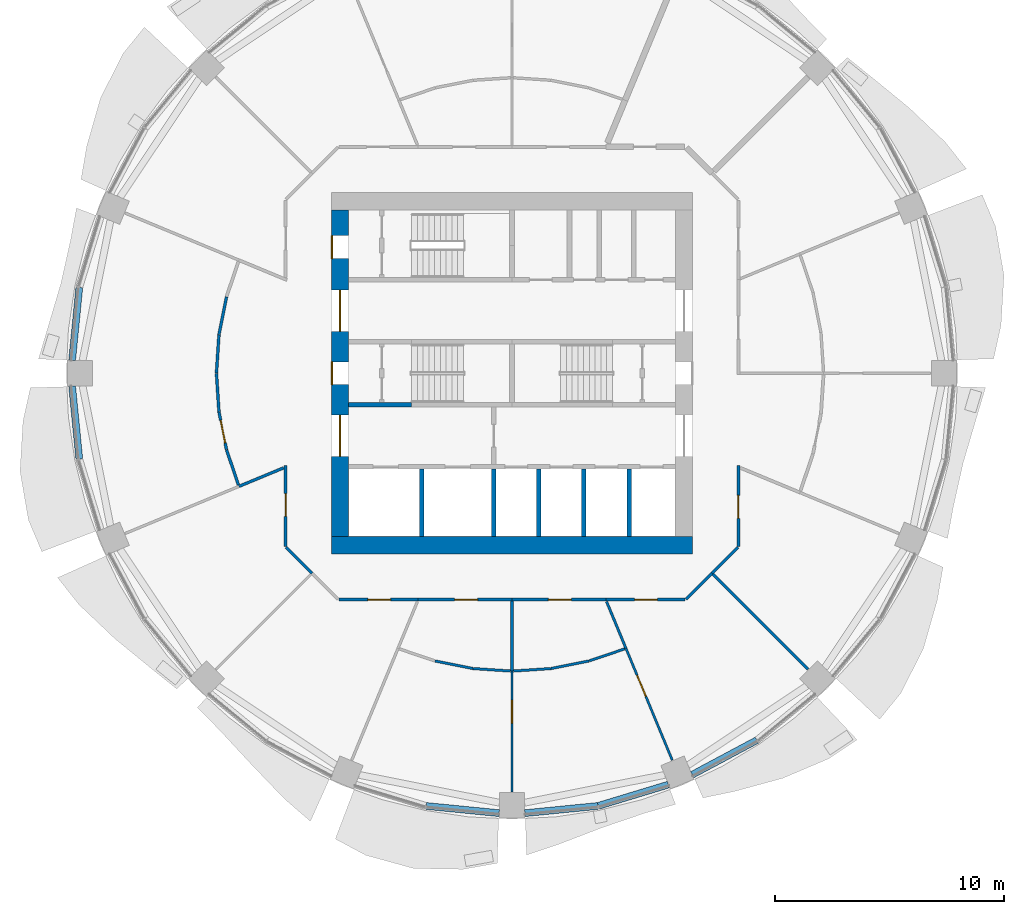
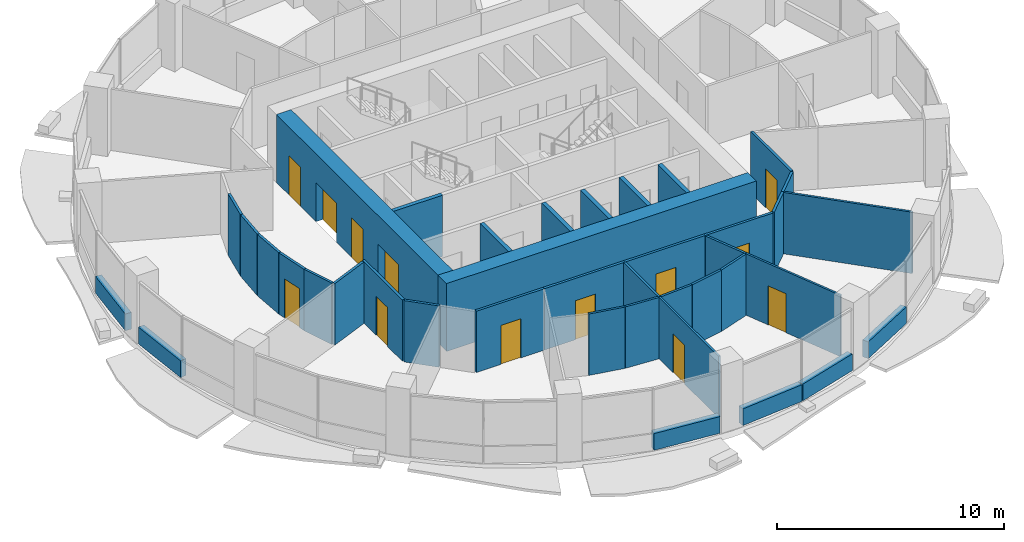
# One storey, part 8 of 15: 39 walls, 13 doors, 13 openings.
"""IFC4 building model written with IfcOpenShell, lengths in metres."""

from ifc_helpers import new_model, si_unit, direction, frame, frame_2d, origin, place, context, subcontext, project, spatial, rectangle, extrude, material, layer, layer_set, type_object, element, fill, save


model = new_model("IFC4")

# Units and contexts
model_context = context("Model", 3, precision=1e-05, world=origin(), true_north=direction((0.0, 1.0)))
body_context = subcontext(model_context, "Body", "Model", "MODEL_VIEW")
ifc_project = project(units=[si_unit("LENGTHUNIT", "METRE"), si_unit("AREAUNIT", "SQUARE_METRE"), si_unit("VOLUMEUNIT", "CUBIC_METRE"), si_unit("PLANEANGLEUNIT", "RADIAN"), si_unit("MASSUNIT", "GRAM", prefix="KILO")], contexts=[model_context])

# Site, building, storey
site_placement = place(None, origin())
site = spatial("IfcSite", under=ifc_project, at=site_placement, CompositionType="ELEMENT")
building_placement = place(site_placement, origin())
building = spatial("IfcBuilding", under=site, at=building_placement, Name="Polderwave Tower", CompositionType="ELEMENT")
storey_placement = place(building_placement, frame((0.0, 0.0, 76.39990234375)))
storey = spatial("IfcBuildingStorey", under=building, at=storey_placement, Name="L19", CompositionType="ELEMENT", Elevation=76.39990234375)

# Wall
ifc_material_1 = material(Name="Concrete C70/85", Category="concrete")
ifc_layer_1 = layer(ifc_material_1, 0.75)
ifc_layer_set_1 = layer_set([ifc_layer_1], Name="CORE WALL 750 C70/85")
wall_type_1 = type_object("IfcWallType", Name="CORE WALL 750 C70/85", PredefinedType="SHEAR", material=ifc_layer_set_1)
wall_1_placement = place(storey_placement, frame((-7.8740234375, -7.4990234375, 0.0), z_axis=(0.0, 0.0, 1.0), x_axis=(1.0, 0.0, 0.0)))
element("IfcWall", 1, at=wall_1_placement, inside=storey, type_object=wall_type_1, Name="ST-CORE-L19-S", PredefinedType="SHEAR", context=body_context, shape_type="SweptSolid", body=[
    extrude(rectangle(XDim=15.748046875, YDim=0.75, at=frame_2d((7.8740234375, 0.0))), origin(), (0.0, 0.0, 1.0), 3.650146484375),
])

# Wall, openings, doors
wall_2_placement = place(storey_placement, frame((-7.4990234375, -7.1240234375, 0.0), z_axis=(0.0, 0.0, 1.0), x_axis=(0.0, 1.0, 0.0)))
wall_2 = element("IfcWall", 2, at=wall_2_placement, inside=storey, type_object=wall_type_1, Name="ST-CORE-L19-W", PredefinedType="SHEAR", context=body_context, shape_type="SweptSolid", body=[
    extrude(rectangle(XDim=14.248046875, YDim=0.75, at=frame_2d((7.1240234375, 0.0))), origin(), (0.0, 0.0, 1.0), 3.650146484375),
])
opening_1_placement = place(wall_2_placement, frame((6.6240234375, 0.0, 0.0)))
opening_1 = element("IfcOpeningElement", 3, at=opening_1_placement, cuts=wall_2, Name="Opening L19-D18", PredefinedType="OPENING", context=body_context, shape_type="SweptSolid", body=[
    extrude(rectangle(XDim=1.0, YDim=2.10009765625, at=frame_2d((0.5, 1.050048828125))), frame((0.0, 0.385009765625, 0.0), z_axis=(0.0, -1.0, 0.0), x_axis=(1.0, 0.0, 0.0)), (0.0, 0.0, 1.0), 0.77001953125),
])
opening_2_placement = place(wall_2_placement, frame((3.49951171875, 0.0, 0.0)))
opening_2 = element("IfcOpeningElement", 4, at=opening_2_placement, cuts=wall_2, Name="Opening L19-D19", PredefinedType="OPENING", context=body_context, shape_type="SweptSolid", body=[
    extrude(rectangle(XDim=1.800048828125, YDim=2.10009765625, at=frame_2d((0.89990234375, 1.050048828125))), frame((0.0, 0.385009765625, 0.0), z_axis=(0.0, -1.0, 0.0), x_axis=(1.0, 0.0, 0.0)), (0.0, 0.0, 1.0), 0.77001953125),
])
opening_3_placement = place(wall_2_placement, frame((8.948486328125, 0.0, 0.0)))
opening_3 = element("IfcOpeningElement", 5, at=opening_3_placement, cuts=wall_2, Name="Opening L19-D20", PredefinedType="OPENING", context=body_context, shape_type="SweptSolid", body=[
    extrude(rectangle(XDim=1.800048828125, YDim=2.10009765625, at=frame_2d((0.89990234375, 1.050048828125))), frame((0.0, 0.385009765625, 0.0), z_axis=(0.0, -1.0, 0.0), x_axis=(1.0, 0.0, 0.0)), (0.0, 0.0, 1.0), 0.77001953125),
])
opening_4_placement = place(wall_2_placement, frame((12.1240234375, 0.0, 0.0)))
opening_4 = element("IfcOpeningElement", 6, at=opening_4_placement, cuts=wall_2, Name="Opening L19-D21", PredefinedType="OPENING", context=body_context, shape_type="SweptSolid", body=[
    extrude(rectangle(XDim=1.0, YDim=2.10009765625, at=frame_2d((0.5, 1.050048828125))), frame((0.0, 0.385009765625, 0.0), z_axis=(0.0, -1.0, 0.0), x_axis=(1.0, 0.0, 0.0)), (0.0, 0.0, 1.0), 0.77001953125),
])
ifc_material_2 = material(Name="Steel fire door", Category="steel")
door_type_1 = type_object("IfcDoorType", Name="Lobby entry door pair 1800", OperationType="DOUBLE_DOOR_SINGLE_SWING", PredefinedType="DOOR", material=ifc_material_2)
door_1_placement = place(opening_2_placement, origin())
door_1 = element("IfcDoor", 7, at=door_1_placement, inside=storey, type_object=door_type_1, Name="Fire-fighting lobby entry door", OperationType="DOUBLE_DOOR_SINGLE_SWING", OverallHeight=2.10009765625, OverallWidth=1.800048828125, PredefinedType="DOOR", context=body_context, shape_type="SweptSolid", body=[
    extrude(rectangle(XDim=1.800048828125, YDim=2.10009765625, at=frame_2d((0.89990234375, 1.050048828125))), frame((0.0, 0.02490234375, 0.0), z_axis=(0.0, -1.0, 0.0), x_axis=(1.0, 0.0, 0.0)), (0.0, 0.0, 1.0), 0.050048828125),
])
fill(opening_2, door_1)
door_2_placement = place(opening_3_placement, origin())
door_2 = element("IfcDoor", 8, at=door_2_placement, inside=storey, type_object=door_type_1, Name="North lobby entry door", OperationType="DOUBLE_DOOR_SINGLE_SWING", OverallHeight=2.10009765625, OverallWidth=1.800048828125, PredefinedType="DOOR", context=body_context, shape_type="SweptSolid", body=[
    extrude(rectangle(XDim=1.800048828125, YDim=2.10009765625, at=frame_2d((0.89990234375, 1.050048828125))), frame((0.0, 0.02490234375, 0.0), z_axis=(0.0, -1.0, 0.0), x_axis=(1.0, 0.0, 0.0)), (0.0, 0.0, 1.0), 0.050048828125),
])
fill(opening_3, door_2)
door_type_2 = type_object("IfcDoorType", Name="Stair door 1000", OperationType="NOTDEFINED", PredefinedType="DOOR", material=ifc_material_2)
door_3_placement = place(opening_1_placement, origin())
door_3 = element("IfcDoor", 9, at=door_3_placement, inside=storey, type_object=door_type_2, Name="Stair A entry door", OperationType="SINGLE_SWING_RIGHT", OverallHeight=2.10009765625, OverallWidth=1.0, PredefinedType="DOOR", context=body_context, shape_type="SweptSolid", body=[
    extrude(rectangle(XDim=1.0, YDim=2.10009765625, at=frame_2d((0.5, 1.050048828125))), frame((0.0, 0.375, 0.0), z_axis=(0.0, -1.0, 0.0), x_axis=(1.0, 0.0, 0.0)), (0.0, 0.0, 1.0), 0.050048828125),
])
fill(opening_1, door_3)
door_4_placement = place(opening_4_placement, origin())
door_4 = element("IfcDoor", 10, at=door_4_placement, inside=storey, type_object=door_type_2, Name="Stair C entry door", OperationType="SINGLE_SWING_RIGHT", OverallHeight=2.10009765625, OverallWidth=1.0, PredefinedType="DOOR", context=body_context, shape_type="SweptSolid", body=[
    extrude(rectangle(XDim=1.0, YDim=2.10009765625, at=frame_2d((0.5, 1.050048828125))), frame((0.0, 0.375, 0.0), z_axis=(0.0, -1.0, 0.0), x_axis=(1.0, 0.0, 0.0)), (0.0, 0.0, 1.0), 0.050048828125),
])
fill(opening_4, door_4)

# Walls
ifc_material_3 = material(Name="Concrete C50/60 (board-marked)", Category="concrete")
ifc_layer_2 = layer(ifc_material_3, 0.300048828125)
ifc_layer_set_2 = layer_set([ifc_layer_2], Name="Concrete spandrel upstand C50/60")
wall_type_2 = type_object("IfcWallType", Name="Concrete spandrel upstand C50/60", PredefinedType="SOLIDWALL", material=ifc_layer_set_2)
for number, where, z_axis, x_axis, name in (
    (11, (-18.87158203125, 3.738037109375, 0.0), (0.0, 0.0, 1.0), (-0.098131861065, -0.995173420989, 0.0), "Spandrel L19 8b"),
    (12, (-19.1845703125, -0.56396484375, 0.0), (0.0, 0.0, 1.0), (0.098131861065, -0.995173420989, 0.0), "Spandrel L19 9a"),
    (13, (-3.738037109375, -18.87158203125, 0.0), (0.0, 0.0, 1.0), (0.995173420989, -0.098131861065, 0.0), "Spandrel L19 12b"),
    (14, (0.56396484375, -19.1845703125, 0.0), (0.0, 0.0, 1.0), (0.995173420989, 0.098131861065, 0.0), "Spandrel L19 13a"),
):
    element("IfcWall", number, at=place(storey_placement, frame(where, z_axis=z_axis, x_axis=x_axis)), inside=storey, type_object=wall_type_2, Name=name, PredefinedType="SOLIDWALL", context=body_context, shape_type="SweptSolid", body=[
        extrude(rectangle(XDim=3.189453125, YDim=0.300048828125, at=frame_2d((1.5947265625, 0.0))), origin(), (0.0, 0.0, 1.0), 0.900146484375),
    ])
wall_3_placement = place(storey_placement, frame((3.767333984375, -18.865478515625, 0.0), z_axis=(0.0, 0.0, 1.0), x_axis=(0.956954228099, 0.290238876314, 0.0)))
element("IfcWall", 15, at=wall_3_placement, inside=storey, type_object=wall_type_2, Name="Spandrel L19 13b", PredefinedType="SOLIDWALL", context=body_context, shape_type="SweptSolid", body=[
    extrude(rectangle(XDim=3.190673828125, YDim=0.300048828125, at=frame_2d((1.59521484375, 0.0))), origin(), (0.0, 0.0, 1.0), 0.900146484375),
])
wall_4_placement = place(storey_placement, frame((7.8623046875, -17.5078125, 0.0), z_axis=(0.0, 0.0, 1.0), x_axis=(0.8819437364, 0.471354692163, 0.0)))
element("IfcWall", 16, at=wall_4_placement, inside=storey, type_object=wall_type_2, Name="Spandrel L19 14a", PredefinedType="SOLIDWALL", context=body_context, shape_type="SweptSolid", body=[
    extrude(rectangle(XDim=3.190185546875, YDim=0.300048828125, at=frame_2d((1.59521484375, 0.0))), origin(), (0.0, 0.0, 1.0), 0.900146484375),
])
ifc_material_4 = material(Name="Concrete C50/60", Category="concrete")
ifc_layer_3 = layer(ifc_material_4, 0.199951171875)
ifc_layer_set_3 = layer_set([ifc_layer_3], Name="Core web wall 200")
wall_type_3 = type_object("IfcWallType", Name="Core web wall 200", PredefinedType="SHEAR", material=ifc_layer_set_3)
wall_5_placement = place(storey_placement, frame((-7.1240234375, -1.375, 0.0), z_axis=(0.0, 0.0, 1.0), x_axis=(1.0, 0.0, 0.0)))
element("IfcWall", 17, at=wall_5_placement, inside=storey, type_object=wall_type_3, Name="L19 south stair wall 1", PredefinedType="SHEAR", context=body_context, shape_type="SweptSolid", body=[
    extrude(rectangle(XDim=2.75, YDim=0.199951171875, at=frame_2d((1.375, 0.0))), origin(), (0.0, 0.0, 1.0), 3.300048828125),
])
ifc_material_5 = material(Name="Fire-resisting board on steel studs", Category="steel")
ifc_layer_4 = layer(ifc_material_5, 0.125)
ifc_layer_set_4 = layer_set([ifc_layer_4], Name="Corridor wall 125 mm EI 60")
wall_type_4 = type_object("IfcWallType", Name="Corridor wall 125 mm EI 60", PredefinedType="PARTITIONING", material=ifc_layer_set_4)
wall_6_placement = place(storey_placement, frame((9.855712890625, -7.58935546875, 0.0), z_axis=(0.0, 0.0, 1.0), x_axis=(-0.70718294931, -0.707030604857, 0.0)))
element("IfcWall", 18, at=wall_6_placement, inside=storey, type_object=wall_type_4, Name="IN-L19-W004", PredefinedType="PARTITIONING", context=body_context, shape_type="SweptSolid", body=[
    extrude(rectangle(XDim=1.6025390625, YDim=0.125, at=frame_2d((0.80126953125, 0.0))), origin(), (0.0, 0.0, 1.0), 3.300048828125),
])

# Wall, opening, door
wall_7_placement = place(storey_placement, frame((9.8740234375, -4.02734375, 0.0), z_axis=(0.0, 0.0, 1.0), x_axis=(0.0, -1.0, 0.0)))
wall_7 = element("IfcWall", 19, at=wall_7_placement, inside=storey, type_object=wall_type_4, Name="IN-L19-W005", PredefinedType="PARTITIONING", context=body_context, shape_type="SweptSolid", body=[
    extrude(rectangle(XDim=3.517822265625, YDim=0.125, at=frame_2d((1.7587890625, 0.0))), origin(), (0.0, 0.0, 1.0), 3.300048828125),
])
opening_5_placement = place(wall_7_placement, frame((1.300048828125, 0.0, 0.0)))
opening_5 = element("IfcOpeningElement", 20, at=opening_5_placement, cuts=wall_7, Name="Opening L19-D52", PredefinedType="OPENING", context=body_context, shape_type="SweptSolid", body=[
    extrude(rectangle(XDim=1.0, YDim=2.10009765625, at=frame_2d((0.5, 1.050048828125))), frame((0.0, 0.072509765625, 0.0), z_axis=(0.0, -1.0, 0.0), x_axis=(1.0, 0.0, 0.0)), (0.0, 0.0, 1.0), 0.14501953125),
])
ifc_material_6 = material(Name="Timber fire door leaf", Category="wood")
door_type_3 = type_object("IfcDoorType", Name="Fire door FD30S 1000 x 2100", OperationType="NOTDEFINED", PredefinedType="DOOR", material=ifc_material_6)
door_5_placement = place(opening_5_placement, origin())
door_5 = element("IfcDoor", 21, at=door_5_placement, inside=storey, type_object=door_type_3, Name="Door L19-D52", OperationType="SINGLE_SWING_RIGHT", OverallHeight=2.10009765625, OverallWidth=1.0, PredefinedType="DOOR", context=body_context, shape_type="SweptSolid", body=[
    extrude(rectangle(XDim=1.0, YDim=2.10009765625, at=frame_2d((0.5, 1.050048828125))), frame((0.0, 0.02490234375, 0.0), z_axis=(0.0, -1.0, 0.0), x_axis=(1.0, 0.0, 0.0)), (0.0, 0.0, 1.0), 0.050048828125),
])
fill(opening_5, door_5)

wall_8_placement = place(storey_placement, frame((-9.8740234375, -7.545166015625, 0.0), z_axis=(0.0, 0.0, 1.0), x_axis=(0.0, 1.0, 0.0)))
wall_8 = element("IfcWall", 22, at=wall_8_placement, inside=storey, type_object=wall_type_4, Name="IN-L19-W014", PredefinedType="PARTITIONING", context=body_context, shape_type="SweptSolid", body=[
    extrude(rectangle(XDim=3.517822265625, YDim=0.125, at=frame_2d((1.7587890625, 0.0))), origin(), (0.0, 0.0, 1.0), 3.300048828125),
])
opening_6_placement = place(wall_8_placement, frame((1.300048828125, 0.0, 0.0)))
opening_6 = element("IfcOpeningElement", 23, at=opening_6_placement, cuts=wall_8, Name="Opening L19-D58", PredefinedType="OPENING", context=body_context, shape_type="SweptSolid", body=[
    extrude(rectangle(XDim=1.0, YDim=2.10009765625, at=frame_2d((0.5, 1.050048828125))), frame((0.0, 0.072509765625, 0.0), z_axis=(0.0, -1.0, 0.0), x_axis=(1.0, 0.0, 0.0)), (0.0, 0.0, 1.0), 0.14501953125),
])
door_6_placement = place(opening_6_placement, origin())
door_6 = element("IfcDoor", 24, at=door_6_placement, inside=storey, type_object=door_type_3, Name="Door L19-D58", OperationType="SINGLE_SWING_RIGHT", OverallHeight=2.10009765625, OverallWidth=1.0, PredefinedType="DOOR", context=body_context, shape_type="SweptSolid", body=[
    extrude(rectangle(XDim=1.0, YDim=2.10009765625, at=frame_2d((0.5, 1.050048828125))), frame((0.0, 0.02490234375, 0.0), z_axis=(0.0, -1.0, 0.0), x_axis=(1.0, 0.0, 0.0)), (0.0, 0.0, 1.0), 0.050048828125),
])
fill(opening_6, door_6)

# Wall
wall_9_placement = place(storey_placement, frame((-8.722412109375, -8.722412109375, 0.0), z_axis=(0.0, 0.0, 1.0), x_axis=(-0.70718294931, 0.707030604857, 0.0)))
element("IfcWall", 25, at=wall_9_placement, inside=storey, type_object=wall_type_4, Name="IN-L19-W015", PredefinedType="PARTITIONING", context=body_context, shape_type="SweptSolid", body=[
    extrude(rectangle(XDim=1.6025390625, YDim=0.125, at=frame_2d((0.80126953125, 0.0))), origin(), (0.0, 0.0, 1.0), 3.300048828125),
])

# Wall, opening, door
wall_10_placement = place(storey_placement, frame((-4.08984375, -9.8740234375, 0.0), z_axis=(0.0, 0.0, 1.0), x_axis=(-1.0, 0.0, 0.0)))
wall_10 = element("IfcWall", 26, at=wall_10_placement, inside=storey, type_object=wall_type_4, Name="IN-L19-W017", PredefinedType="PARTITIONING", context=body_context, shape_type="SweptSolid", body=[
    extrude(rectangle(XDim=3.455322265625, YDim=0.125, at=frame_2d((1.7275390625, 0.0))), origin(), (0.0, 0.0, 1.0), 3.300048828125),
])
opening_7_placement = place(wall_10_placement, frame((1.199951171875, 0.0, 0.0)))
opening_7 = element("IfcOpeningElement", 27, at=opening_7_placement, cuts=wall_10, Name="Opening L19-D59", PredefinedType="OPENING", context=body_context, shape_type="SweptSolid", body=[
    extrude(rectangle(XDim=1.0, YDim=2.10009765625, at=frame_2d((0.5, 1.050048828125))), frame((0.0, 0.072509765625, 0.0), z_axis=(0.0, -1.0, 0.0), x_axis=(1.0, 0.0, 0.0)), (0.0, 0.0, 1.0), 0.14501953125),
])
door_7_placement = place(opening_7_placement, origin())
door_7 = element("IfcDoor", 28, at=door_7_placement, inside=storey, type_object=door_type_3, Name="Door L19-D59", OperationType="SINGLE_SWING_LEFT", OverallHeight=2.10009765625, OverallWidth=1.0, PredefinedType="DOOR", context=body_context, shape_type="SweptSolid", body=[
    extrude(rectangle(XDim=1.0, YDim=2.10009765625, at=frame_2d((0.5, 1.050048828125))), frame((0.0, 0.02490234375, 0.0), z_axis=(0.0, -1.0, 0.0), x_axis=(1.0, 0.0, 0.0)), (0.0, 0.0, 1.0), 0.050048828125),
])
fill(opening_7, door_7)

wall_11_placement = place(storey_placement, frame((0.0, -9.8740234375, 0.0), z_axis=(0.0, 0.0, 1.0), x_axis=(-1.0, 0.0, 0.0)))
wall_11 = element("IfcWall", 29, at=wall_11_placement, inside=storey, type_object=wall_type_4, Name="IN-L19-W018", PredefinedType="PARTITIONING", context=body_context, shape_type="SweptSolid", body=[
    extrude(rectangle(XDim=4.08984375, YDim=0.125, at=frame_2d((2.044921875, 0.0))), origin(), (0.0, 0.0, 1.0), 3.300048828125),
])
opening_8_placement = place(wall_11_placement, frame((1.5, 0.0, 0.0)))
opening_8 = element("IfcOpeningElement", 30, at=opening_8_placement, cuts=wall_11, Name="Opening L19-D60", PredefinedType="OPENING", context=body_context, shape_type="SweptSolid", body=[
    extrude(rectangle(XDim=1.0, YDim=2.10009765625, at=frame_2d((0.5, 1.050048828125))), frame((0.0, 0.072509765625, 0.0), z_axis=(0.0, -1.0, 0.0), x_axis=(1.0, 0.0, 0.0)), (0.0, 0.0, 1.0), 0.14501953125),
])
door_8_placement = place(opening_8_placement, origin())
door_8 = element("IfcDoor", 31, at=door_8_placement, inside=storey, type_object=door_type_3, Name="Door L19-D60", OperationType="SINGLE_SWING_LEFT", OverallHeight=2.10009765625, OverallWidth=1.0, PredefinedType="DOOR", context=body_context, shape_type="SweptSolid", body=[
    extrude(rectangle(XDim=1.0, YDim=2.10009765625, at=frame_2d((0.5, 1.050048828125))), frame((0.0, 0.02490234375, 0.0), z_axis=(0.0, -1.0, 0.0), x_axis=(1.0, 0.0, 0.0)), (0.0, 0.0, 1.0), 0.050048828125),
])
fill(opening_8, door_8)

wall_12_placement = place(storey_placement, frame((4.08984375, -9.8740234375, 0.0), z_axis=(0.0, 0.0, 1.0), x_axis=(-1.0, 0.0, 0.0)))
wall_12 = element("IfcWall", 32, at=wall_12_placement, inside=storey, type_object=wall_type_4, Name="IN-L19-W019", PredefinedType="PARTITIONING", context=body_context, shape_type="SweptSolid", body=[
    extrude(rectangle(XDim=4.08984375, YDim=0.125, at=frame_2d((2.044921875, 0.0))), origin(), (0.0, 0.0, 1.0), 3.300048828125),
])
opening_9_placement = place(wall_12_placement, frame((1.5, 0.0, 0.0)))
opening_9 = element("IfcOpeningElement", 33, at=opening_9_placement, cuts=wall_12, Name="Opening L19-D61", PredefinedType="OPENING", context=body_context, shape_type="SweptSolid", body=[
    extrude(rectangle(XDim=1.0, YDim=2.10009765625, at=frame_2d((0.5, 1.050048828125))), frame((0.0, 0.072509765625, 0.0), z_axis=(0.0, -1.0, 0.0), x_axis=(1.0, 0.0, 0.0)), (0.0, 0.0, 1.0), 0.14501953125),
])
door_9_placement = place(opening_9_placement, origin())
door_9 = element("IfcDoor", 34, at=door_9_placement, inside=storey, type_object=door_type_3, Name="Door L19-D61", OperationType="SINGLE_SWING_LEFT", OverallHeight=2.10009765625, OverallWidth=1.0, PredefinedType="DOOR", context=body_context, shape_type="SweptSolid", body=[
    extrude(rectangle(XDim=1.0, YDim=2.10009765625, at=frame_2d((0.5, 1.050048828125))), frame((0.0, 0.02490234375, 0.0), z_axis=(0.0, -1.0, 0.0), x_axis=(1.0, 0.0, 0.0)), (0.0, 0.0, 1.0), 0.050048828125),
])
fill(opening_9, door_9)

wall_13_placement = place(storey_placement, frame((7.545166015625, -9.8740234375, 0.0), z_axis=(0.0, 0.0, 1.0), x_axis=(-1.0, 0.0, 0.0)))
wall_13 = element("IfcWall", 35, at=wall_13_placement, inside=storey, type_object=wall_type_4, Name="IN-L19-W020", PredefinedType="PARTITIONING", context=body_context, shape_type="SweptSolid", body=[
    extrude(rectangle(XDim=3.455322265625, YDim=0.125, at=frame_2d((1.7275390625, 0.0))), origin(), (0.0, 0.0, 1.0), 3.300048828125),
])
opening_10_placement = place(wall_13_placement, frame((1.199951171875, 0.0, 0.0)))
opening_10 = element("IfcOpeningElement", 36, at=opening_10_placement, cuts=wall_13, Name="Opening L19-D62", PredefinedType="OPENING", context=body_context, shape_type="SweptSolid", body=[
    extrude(rectangle(XDim=1.0, YDim=2.10009765625, at=frame_2d((0.5, 1.050048828125))), frame((0.0, 0.072509765625, 0.0), z_axis=(0.0, -1.0, 0.0), x_axis=(1.0, 0.0, 0.0)), (0.0, 0.0, 1.0), 0.14501953125),
])
door_10_placement = place(opening_10_placement, origin())
door_10 = element("IfcDoor", 37, at=door_10_placement, inside=storey, type_object=door_type_3, Name="Door L19-D62", OperationType="SINGLE_SWING_LEFT", OverallHeight=2.10009765625, OverallWidth=1.0, PredefinedType="DOOR", context=body_context, shape_type="SweptSolid", body=[
    extrude(rectangle(XDim=1.0, YDim=2.10009765625, at=frame_2d((0.5, 1.050048828125))), frame((0.0, 0.02490234375, 0.0), z_axis=(0.0, -1.0, 0.0), x_axis=(1.0, 0.0, 0.0)), (0.0, 0.0, 1.0), 0.050048828125),
])
fill(opening_10, door_10)

# Walls
wall_14_placement = place(storey_placement, frame((8.722412109375, -8.722412109375, 0.0), z_axis=(0.0, 0.0, 1.0), x_axis=(-0.707030604857, -0.70718294931, 0.0)))
element("IfcWall", 38, at=wall_14_placement, inside=storey, type_object=wall_type_4, Name="IN-L19-W021", PredefinedType="PARTITIONING", context=body_context, shape_type="SweptSolid", body=[
    extrude(rectangle(XDim=1.6025390625, YDim=0.125, at=frame_2d((0.80126953125, 0.0))), origin(), (0.0, 0.0, 1.0), 3.300048828125),
])
for number, where, z_axis, x_axis, name in (
    (39, (-12.8896484375, 0.004150390625, 0.0), (0.0, 0.0, 1.0), (0.065331113258, 0.997863640805, 0.0), "IN-L19-W045"),
    (40, (-12.780029296875, -1.678466796875, 0.0), (0.0, 0.0, 1.0), (-0.065331113258, 0.997863640805, 0.0), "IN-L19-W046"),
    (41, (-12.77880859375, 1.6865234375, 0.0), (0.0, 0.0, 1.0), (0.194968796467, 0.980809445511, 0.0), "IN-L19-W047"),
):
    element("IfcWall", number, at=place(storey_placement, frame(where, z_axis=z_axis, x_axis=x_axis)), inside=storey, type_object=wall_type_4, Name=name, PredefinedType="PARTITIONING", context=body_context, shape_type="SweptSolid", body=[
        extrude(rectangle(XDim=1.677978515625, YDim=0.125, at=frame_2d((0.8388671875, 0.0))), origin(), (0.0, 0.0, 1.0), 3.300048828125),
    ])

# Wall, opening, door
wall_15_placement = place(storey_placement, frame((-12.45166015625, -3.332275390625, 0.0), z_axis=(0.0, 0.0, 1.0), x_axis=(-0.194968796467, 0.980809445511, 0.0)))
wall_15 = element("IfcWall", 42, at=wall_15_placement, inside=storey, type_object=wall_type_4, Name="IN-L19-W048", PredefinedType="PARTITIONING", context=body_context, shape_type="SweptSolid", body=[
    extrude(rectangle(XDim=1.677978515625, YDim=0.125, at=frame_2d((0.8388671875, 0.0))), origin(), (0.0, 0.0, 1.0), 3.300048828125),
])
opening_11_placement = place(wall_15_placement, frame((0.300048828125, 0.0, 0.0)))
opening_11 = element("IfcOpeningElement", 43, at=opening_11_placement, cuts=wall_15, Name="Opening L19-D66", PredefinedType="OPENING", context=body_context, shape_type="SweptSolid", body=[
    extrude(rectangle(XDim=1.0, YDim=2.10009765625, at=frame_2d((0.5, 1.050048828125))), frame((0.0, 0.072509765625, 0.0), z_axis=(0.0, -1.0, 0.0), x_axis=(1.0, 0.0, 0.0)), (0.0, 0.0, 1.0), 0.14501953125),
])
door_11_placement = place(opening_11_placement, origin())
door_11 = element("IfcDoor", 44, at=door_11_placement, inside=storey, type_object=door_type_3, Name="Door L19-D66", OperationType="SINGLE_SWING_LEFT", OverallHeight=2.10009765625, OverallWidth=1.0, PredefinedType="DOOR", context=body_context, shape_type="SweptSolid", body=[
    extrude(rectangle(XDim=1.0, YDim=2.10009765625, at=frame_2d((0.5, 1.050048828125))), frame((0.0, 0.02490234375, 0.0), z_axis=(0.0, -1.0, 0.0), x_axis=(1.0, 0.0, 0.0)), (0.0, 0.0, 1.0), 0.050048828125),
])
fill(opening_11, door_11)

# Walls
wall_16_placement = place(storey_placement, frame((-11.930419921875, -4.86962890625, 0.0), z_axis=(0.0, 0.0, 1.0), x_axis=(-0.321347174615, 0.946961452947, 0.0)))
element("IfcWall", 45, at=wall_16_placement, inside=storey, type_object=wall_type_4, Name="IN-L19-W050", PredefinedType="PARTITIONING", context=body_context, shape_type="SweptSolid", body=[
    extrude(rectangle(XDim=1.615234375, YDim=0.125, at=frame_2d((0.8076171875, 0.0))), origin(), (0.0, 0.0, 1.0), 3.300048828125),
])
wall_17_placement = place(storey_placement, frame((-9.96044921875, -4.125732421875, 0.0), z_axis=(0.0, 0.0, 1.0), x_axis=(-0.923855963606, -0.38274032778, 0.0)))
element("IfcWall", 46, at=wall_17_placement, inside=storey, type_object=wall_type_4, Name="IN-L19-W051", PredefinedType="PARTITIONING", context=body_context, shape_type="SweptSolid", body=[
    extrude(rectangle(XDim=2.10888671875, YDim=0.125, at=frame_2d((1.054443359375, 0.0))), origin(), (0.0, 0.0, 1.0), 3.300048828125),
])

# Wall, opening, door
ifc_material_7 = material(Name="Plasterboard on steel studs", Category="steel")
ifc_layer_5 = layer(ifc_material_7, 0.10009765625)
ifc_layer_set_5 = layer_set([ifc_layer_5], Name="Partition 100 mm plasterboard on steel studs")
wall_type_5 = type_object("IfcWallType", Name="Partition 100 mm plasterboard on steel studs", PredefinedType="PARTITIONING", material=ifc_layer_set_5)
wall_18_placement = place(storey_placement, frame((0.0, -18.260009765625, 0.0), z_axis=(0.0, 0.0, 1.0), x_axis=(0.0, 1.0, 0.0)))
wall_18 = element("IfcWall", 47, at=wall_18_placement, inside=storey, type_object=wall_type_5, Name="IN-L19-W060", PredefinedType="PARTITIONING", context=body_context, shape_type="SweptSolid", body=[
    extrude(rectangle(XDim=5.27001953125, YDim=0.10009765625, at=frame_2d((2.635009765625, 0.0))), origin(), (0.0, 0.0, 1.0), 3.300048828125),
])
opening_12_placement = place(wall_18_placement, frame((3.0, 0.0, 0.0)))
opening_12 = element("IfcOpeningElement", 48, at=opening_12_placement, cuts=wall_18, Name="Opening L19-D67", PredefinedType="OPENING", context=body_context, shape_type="SweptSolid", body=[
    extrude(rectangle(XDim=1.0, YDim=2.10009765625, at=frame_2d((0.5, 1.050048828125))), frame((0.0, 0.06005859375, 0.0), z_axis=(0.0, -1.0, 0.0), x_axis=(1.0, 0.0, 0.0)), (0.0, 0.0, 1.0), 0.1201171875),
])
ifc_material_8 = material(Name="Timber veneer door leaf", Category="wood")
door_type_4 = type_object("IfcDoorType", Name="Single door 1000 x 2100", OperationType="NOTDEFINED", PredefinedType="DOOR", material=ifc_material_8)
door_12_placement = place(opening_12_placement, origin())
door_12 = element("IfcDoor", 49, at=door_12_placement, inside=storey, type_object=door_type_4, Name="Door L19-D67", OperationType="SINGLE_SWING_RIGHT", OverallHeight=2.10009765625, OverallWidth=1.0, PredefinedType="DOOR", context=body_context, shape_type="SweptSolid", body=[
    extrude(rectangle(XDim=1.0, YDim=2.10009765625, at=frame_2d((0.5, 1.050048828125))), frame((0.0, 0.02490234375, 0.0), z_axis=(0.0, -1.0, 0.0), x_axis=(1.0, 0.0, 0.0)), (0.0, 0.0, 1.0), 0.050048828125),
])
fill(opening_12, door_12)

wall_19_placement = place(storey_placement, frame((6.98779296875, -16.8701171875, 0.0), z_axis=(0.0, 0.0, 1.0), x_axis=(-0.382657291887, 0.923890359819, 0.0)))
wall_19 = element("IfcWall", 50, at=wall_19_placement, inside=storey, type_object=wall_type_5, Name="IN-L19-W065", PredefinedType="PARTITIONING", context=body_context, shape_type="SweptSolid", body=[
    extrude(rectangle(XDim=5.27001953125, YDim=0.10009765625, at=frame_2d((2.635009765625, 0.0))), origin(), (0.0, 0.0, 1.0), 3.300048828125),
])
opening_13_placement = place(wall_19_placement, frame((3.0, 0.0, 0.0)))
opening_13 = element("IfcOpeningElement", 51, at=opening_13_placement, cuts=wall_19, Name="Opening L19-D68", PredefinedType="OPENING", context=body_context, shape_type="SweptSolid", body=[
    extrude(rectangle(XDim=1.0, YDim=2.10009765625, at=frame_2d((0.5, 1.050048828125))), frame((0.0, 0.06005859375, 0.0), z_axis=(0.0, -1.0, 0.0), x_axis=(1.0, 0.0, 0.0)), (0.0, 0.0, 1.0), 0.1201171875),
])
door_13_placement = place(opening_13_placement, origin())
door_13 = element("IfcDoor", 52, at=door_13_placement, inside=storey, type_object=door_type_4, Name="Door L19-D68", OperationType="SINGLE_SWING_RIGHT", OverallHeight=2.10009765625, OverallWidth=1.0, PredefinedType="DOOR", context=body_context, shape_type="SweptSolid", body=[
    extrude(rectangle(XDim=1.0, YDim=2.10009765625, at=frame_2d((0.5, 1.050048828125))), frame((0.0, 0.02490234375, 0.0), z_axis=(0.0, -1.0, 0.0), x_axis=(1.0, 0.0, 0.0)), (0.0, 0.0, 1.0), 0.050048828125),
])
fill(opening_13, door_13)

# Walls
ifc_material_9 = material(Name="Acoustic double plasterboard on steel studs", Category="steel")
ifc_layer_6 = layer(ifc_material_9, 0.110107421875)
ifc_layer_set_6 = layer_set([ifc_layer_6], Name="Partition 110 mm acoustic double board")
wall_type_6 = type_object("IfcWallType", Name="Partition 110 mm acoustic double board", PredefinedType="PARTITIONING", material=ifc_layer_set_6)
wall_20_placement = place(storey_placement, frame((-1.698974609375, -12.878173828125, 0.0), z_axis=(0.0, 0.0, 1.0), x_axis=(-0.98079097439, 0.19506169423, 0.0)))
element("IfcWall", 53, at=wall_20_placement, inside=storey, type_object=wall_type_6, Name="IN-L19-W057", PredefinedType="PARTITIONING", context=body_context, shape_type="SweptSolid", body=[
    extrude(rectangle(XDim=1.692138671875, YDim=0.110107421875, at=frame_2d((0.84619140625, 0.0))), origin(), (0.0, 0.0, 1.0), 3.300048828125),
])
wall_21_placement = place(storey_placement, frame((-0.05859375, -12.986083984375, 0.0), z_axis=(0.0, 0.0, 1.0), x_axis=(-0.997863649312, 0.065330983318, 0.0)))
element("IfcWall", 54, at=wall_21_placement, inside=storey, type_object=wall_type_6, Name="IN-L19-W058", PredefinedType="PARTITIONING", context=body_context, shape_type="SweptSolid", body=[
    extrude(rectangle(XDim=1.63671875, YDim=0.110107421875, at=frame_2d((0.818359375, 0.0))), origin(), (0.0, 0.0, 1.0), 3.300048828125),
])
wall_22_placement = place(storey_placement, frame((0.0, -9.9365234375, 0.0), z_axis=(0.0, 0.0, 1.0), x_axis=(0.0, -1.0, 0.0)))
element("IfcWall", 55, at=wall_22_placement, inside=storey, type_object=wall_type_6, Name="IN-L19-W059", PredefinedType="PARTITIONING", context=body_context, shape_type="SweptSolid", body=[
    extrude(rectangle(XDim=3.053466796875, YDim=0.110107421875, at=frame_2d((1.52685546875, 0.0))), origin(), (0.0, 0.0, 1.0), 3.300048828125),
])
wall_23_placement = place(storey_placement, frame((1.69189453125, -12.879150390625, 0.0), z_axis=(0.0, 0.0, 1.0), x_axis=(-0.997863649312, -0.065330983318, 0.0)))
element("IfcWall", 56, at=wall_23_placement, inside=storey, type_object=wall_type_6, Name="IN-L19-W061", PredefinedType="PARTITIONING", context=body_context, shape_type="SweptSolid", body=[
    extrude(rectangle(XDim=1.63671875, YDim=0.110107421875, at=frame_2d((0.818359375, 0.0))), origin(), (0.0, 0.0, 1.0), 3.300048828125),
])
wall_24_placement = place(storey_placement, frame((3.358642578125, -12.548095703125, 0.0), z_axis=(0.0, 0.0, 1.0), x_axis=(-0.98079097439, -0.19506169423, 0.0)))
element("IfcWall", 57, at=wall_24_placement, inside=storey, type_object=wall_type_6, Name="IN-L19-W062", PredefinedType="PARTITIONING", context=body_context, shape_type="SweptSolid", body=[
    extrude(rectangle(XDim=1.692138671875, YDim=0.110107421875, at=frame_2d((0.84619140625, 0.0))), origin(), (0.0, 0.0, 1.0), 3.300048828125),
])
wall_25_placement = place(storey_placement, frame((4.915283203125, -12.02001953125, 0.0), z_axis=(0.0, 0.0, 1.0), x_axis=(-0.946923574546, -0.321458774913, 0.0)))
element("IfcWall", 58, at=wall_25_placement, inside=storey, type_object=wall_type_6, Name="IN-L19-W063", PredefinedType="PARTITIONING", context=body_context, shape_type="SweptSolid", body=[
    extrude(rectangle(XDim=1.63671875, YDim=0.110107421875, at=frame_2d((0.818359375, 0.0))), origin(), (0.0, 0.0, 1.0), 3.300048828125),
])
wall_26_placement = place(storey_placement, frame((4.12451171875, -9.95751953125, 0.0), z_axis=(0.0, 0.0, 1.0), x_axis=(0.382647470997, -0.923894427378, 0.0)))
element("IfcWall", 59, at=wall_26_placement, inside=storey, type_object=wall_type_6, Name="IN-L19-W064", PredefinedType="PARTITIONING", context=body_context, shape_type="SweptSolid", body=[
    extrude(rectangle(XDim=2.212158203125, YDim=0.110107421875, at=frame_2d((1.10595703125, 0.0))), origin(), (0.0, 0.0, 1.0), 3.300048828125),
])
wall_27_placement = place(storey_placement, frame((8.7666015625, -8.7666015625, 0.0), z_axis=(0.0, 0.0, 1.0), x_axis=(0.707106781187, -0.707106781187, 0.0)))
element("IfcWall", 60, at=wall_27_placement, inside=storey, type_object=wall_type_6, Name="IN-L19-W066", PredefinedType="PARTITIONING", context=body_context, shape_type="SweptSolid", body=[
    extrude(rectangle(XDim=5.8623046875, YDim=0.110107421875, at=frame_2d((2.93115234375, 0.0))), origin(), (0.0, 0.0, 1.0), 3.300048828125),
])
ifc_material_10 = material(Name="Gypsum shaft wall system")
ifc_layer_7 = layer(ifc_material_10, 0.199951171875)
ifc_layer_set_7 = layer_set([ifc_layer_7], Name="Shaft wall 200")
wall_type_7 = type_object("IfcWallType", Name="Shaft wall 200", PredefinedType="PARTITIONING", material=ifc_layer_set_7)
for number, where, z_axis, x_axis, name in (
    (61, (-3.93701171875, -7.1240234375, 0.0), (0.0, 0.0, 1.0), (0.0, 1.0, 0.0), "L19 fire-fighting shaft wall 1"),
    (62, (-0.800048828125, -7.1240234375, 0.0), (0.0, 0.0, 1.0), (0.0, 1.0, 0.0), "L19 fire-fighting shaft wall 2"),
    (63, (1.16845703125, -7.1240234375, 0.0), (0.0, 0.0, 1.0), (0.0, 1.0, 0.0), "L19 lift shaft wall 1"),
    (64, (3.136962890625, -7.1240234375, 0.0), (0.0, 0.0, 1.0), (0.0, 1.0, 0.0), "L19 lift shaft wall 2"),
    (65, (5.10546875, -7.1240234375, 0.0), (0.0, 0.0, 1.0), (0.0, 1.0, 0.0), "L19 lift shaft wall 3"),
):
    element("IfcWall", number, at=place(storey_placement, frame(where, z_axis=z_axis, x_axis=x_axis)), inside=storey, type_object=wall_type_7, Name=name, PredefinedType="PARTITIONING", context=body_context, shape_type="SweptSolid", body=[
        extrude(rectangle(XDim=2.949951171875, YDim=0.199951171875, at=frame_2d((1.47509765625, 0.0))), origin(), (0.0, 0.0, 1.0), 3.300048828125),
    ])

save(model, "model.ifc")
